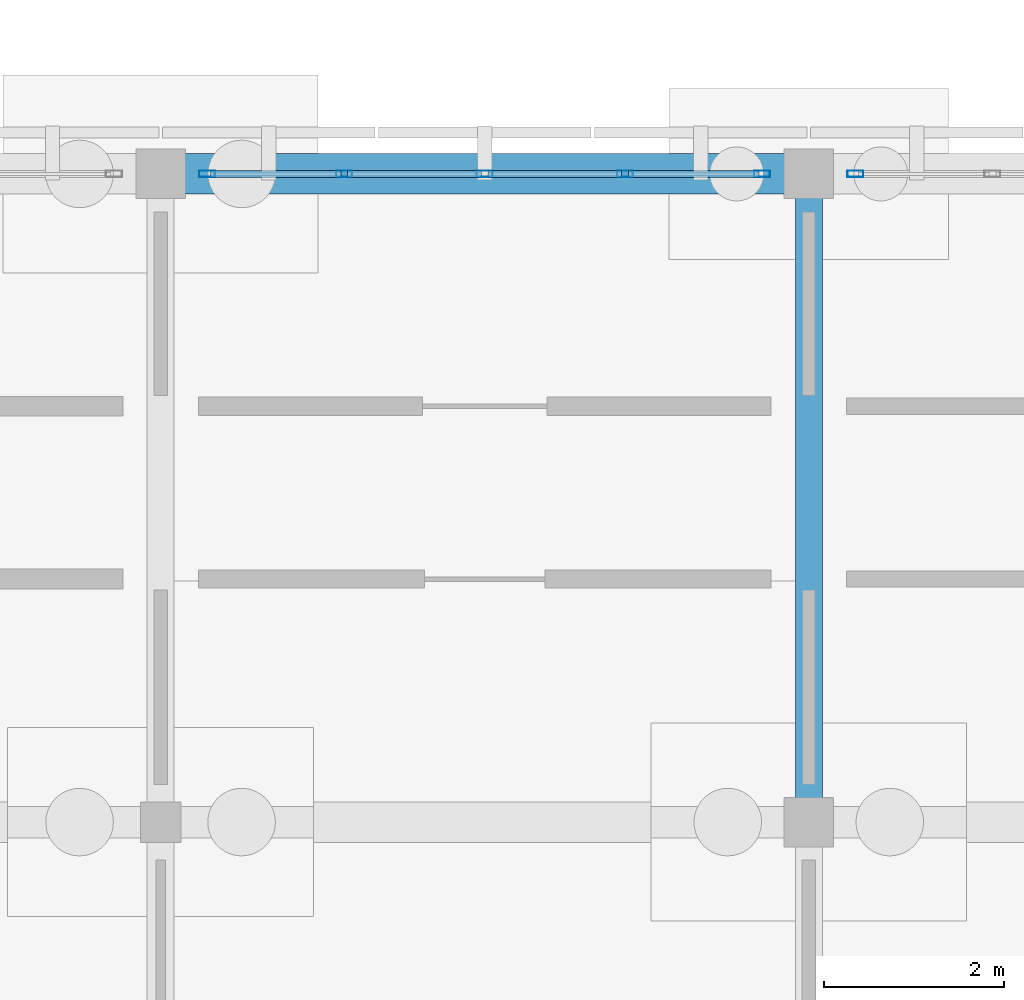
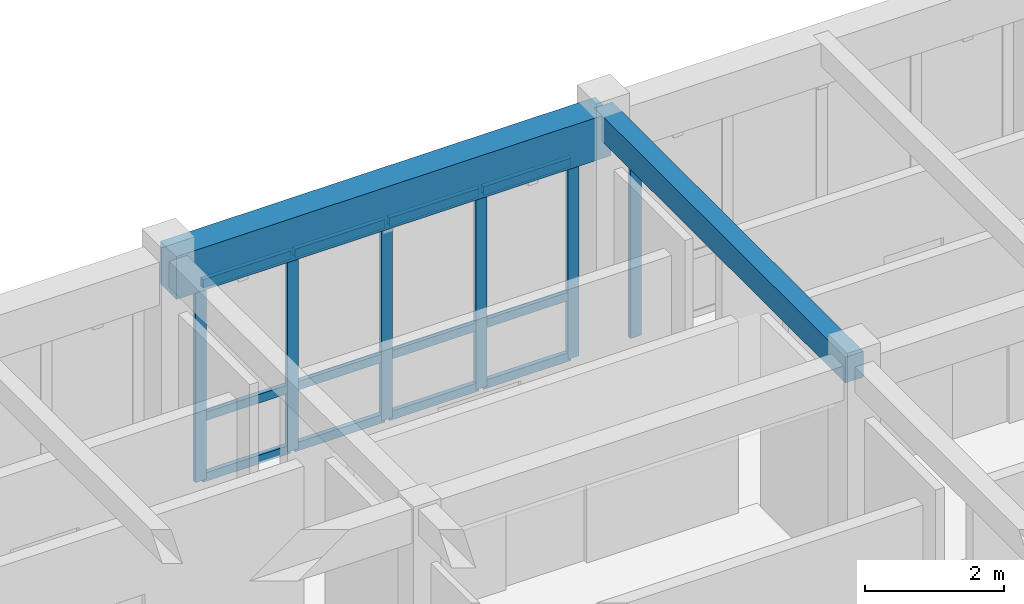
# One storey, part 32 of 111: 18 members, 2 beams, 2 elements without a shape of their own.
"""IFC4 building model written with IfcOpenShell, lengths in metres."""

from ifc_helpers import new_model, si_unit, direction, frame, origin, origin_2d, place, context, subcontext, project, spatial, rectangle, hollow_rectangle, extrude, material, material_profile, profile_set, type_object, element, aggregate, save


model = new_model("IFC4")

# Units and contexts
model_context = context("Model", 3, precision=1e-05, world=origin(), true_north=direction((0.0, 1.0)))
body_context = subcontext(model_context, "Body", "Model", "MODEL_VIEW")
ifc_project = project(units=[si_unit("LENGTHUNIT", "METRE"), si_unit("AREAUNIT", "SQUARE_METRE"), si_unit("VOLUMEUNIT", "CUBIC_METRE"), si_unit("PLANEANGLEUNIT", "RADIAN"), si_unit("MASSUNIT", "GRAM", prefix="KILO")], contexts=[model_context])

# Site, building, storey
site_placement = place(None, origin())
site = spatial("IfcSite", under=ifc_project, at=site_placement, CompositionType="ELEMENT")
building_placement = place(site_placement, origin())
building = spatial("IfcBuilding", under=site, at=building_placement, Name="Aldebral Square Health Centre", CompositionType="ELEMENT")
storey_placement = place(building_placement, origin())
storey = spatial("IfcBuildingStorey", under=building, at=storey_placement, Name="L00", CompositionType="ELEMENT", Elevation=0.0)

# Beams
ifc_material_1 = material(Name="Concrete C40/50", Category="concrete")
ifc_material_profile_1 = material_profile(ifc_material_1, rectangle(XDim=0.300048828125, YDim=0.449951171875, at=origin_2d()), Name="RC 300x450")
ifc_profile_set_1 = profile_set([ifc_material_profile_1], Name="Concrete C40/50")
beam_type_1 = type_object("IfcBeamType", Name="BM-B5", PredefinedType="BEAM", material=ifc_profile_set_1)
beam_1_placement = place(storey_placement, frame((93.60009765625, 93.60009765625, 3.9951171875), z_axis=(0.0, 1.0, 0.0), x_axis=(-1.0, 0.0, 0.0)))
element("IfcBeam", 1, at=beam_1_placement, inside=storey, type_object=beam_type_1, Name="L00 Y-beam G14/14-15", PredefinedType="BEAM", context=body_context, shape_type="SweptSolid", body=[
    extrude(rectangle(XDim=0.300048828125, YDim=0.449951171875, at=origin_2d()), origin(), (0.0, 0.0, 1.0), 7.199951171875),
])
ifc_material_profile_2 = material_profile(ifc_material_1, rectangle(XDim=0.449951171875, YDim=0.75, at=origin_2d()), Name="RC 450x750")
ifc_profile_set_2 = profile_set([ifc_material_profile_2], Name="Concrete C40/50")
beam_type_2 = type_object("IfcBeamType", Name="BM-G2", PredefinedType="T_BEAM", material=ifc_profile_set_2)
beam_2_placement = place(storey_placement, frame((86.39990234375, 100.800048828125, 3.844970703125), z_axis=(1.0, 0.0, 0.0), x_axis=(0.0, 1.0, 0.0)))
element("IfcBeam", 2, at=beam_2_placement, inside=storey, type_object=beam_type_2, Name="L00 X-beam 13-14/G15", PredefinedType="T_BEAM", context=body_context, shape_type="SweptSolid", body=[
    extrude(rectangle(XDim=0.449951171875, YDim=0.75, at=origin_2d()), origin(), (0.0, 0.0, 1.0), 7.2001953125),
])

# Curtain wall, members
ifc_material_2 = material(Name="Aluminium and low-E solar glass", Category="aluminium")
curtain_wall_type = type_object("IfcCurtainWallType", Name="CW-HALL-SYS", PredefinedType="USERDEFINED", material=ifc_material_2)
curtain_wall_1_placement = place(storey_placement, origin())
curtain_wall_1 = element("IfcCurtainWall", 3, at=curtain_wall_1_placement, inside=storey, type_object=curtain_wall_type, Name="L00 V1 hall curtain wall L00-V1-12-13-N", ObjectType="HALL_CURTAIN_WALL", PredefinedType="USERDEFINED")
ifc_material_3 = material(Name="Anodised aluminium mullion", Category="aluminium")
ifc_material_profile_3 = material_profile(ifc_material_3, hollow_rectangle(XDim=0.074951171875, YDim=0.179931640625, WallThickness=0.00390625, at=origin_2d()), Name="CWM 75x180x4")
ifc_profile_set_3 = profile_set([ifc_material_profile_3], Name="Anodised aluminium mullion")
member_type_1 = type_object("IfcMemberType", Name="CWM-STD", PredefinedType="MULLION", material=ifc_profile_set_3)
member_1_placement = place(storey_placement, frame((93.08251953125, 100.800048828125, 0.0), z_axis=(0.0, 0.0, 1.0), x_axis=(0.0, -1.0, 0.0)))
member_1 = element("IfcMember", 4, at=member_1_placement, type_object=member_type_1, Name="CW2 mullion 1", PredefinedType="MULLION", context=body_context, shape_type="SweptSolid", body=[
    extrude(hollow_rectangle(XDim=0.074951171875, YDim=0.179931640625, WallThickness=0.00390625, at=origin_2d()), origin(), (0.0, 0.0, 1.0), 3.469970703125),
])
member_2_placement = place(storey_placement, frame((91.56005859375, 100.800048828125, 0.0), z_axis=(0.0, 0.0, 1.0), x_axis=(0.0, -1.0, 0.0)))
member_2 = element("IfcMember", 5, at=member_2_placement, type_object=member_type_1, Name="CW2 mullion 2", PredefinedType="MULLION", context=body_context, shape_type="SweptSolid", body=[
    extrude(hollow_rectangle(XDim=0.074951171875, YDim=0.179931640625, WallThickness=0.00390625, at=origin_2d()), origin(), (0.0, 0.0, 1.0), 3.469970703125),
])
member_3_placement = place(storey_placement, frame((90.0, 100.800048828125, 0.0), z_axis=(0.0, 0.0, 1.0), x_axis=(0.0, -1.0, 0.0)))
member_3 = element("IfcMember", 6, at=member_3_placement, type_object=member_type_1, Name="CW2 mullion 3", PredefinedType="MULLION", context=body_context, shape_type="SweptSolid", body=[
    extrude(hollow_rectangle(XDim=0.074951171875, YDim=0.179931640625, WallThickness=0.00390625, at=origin_2d()), origin(), (0.0, 0.0, 1.0), 3.469970703125),
])
member_4_placement = place(storey_placement, frame((88.43994140625, 100.800048828125, 0.0), z_axis=(0.0, 0.0, 1.0), x_axis=(0.0, -1.0, 0.0)))
member_4 = element("IfcMember", 7, at=member_4_placement, type_object=member_type_1, Name="CW2 mullion 4", PredefinedType="MULLION", context=body_context, shape_type="SweptSolid", body=[
    extrude(hollow_rectangle(XDim=0.074951171875, YDim=0.179931640625, WallThickness=0.00390625, at=origin_2d()), origin(), (0.0, 0.0, 1.0), 3.469970703125),
])
member_5_placement = place(storey_placement, frame((86.91748046875, 100.800048828125, 0.0), z_axis=(0.0, 0.0, 1.0), x_axis=(0.0, -1.0, 0.0)))
member_5 = element("IfcMember", 8, at=member_5_placement, type_object=member_type_1, Name="CW2 mullion 5", PredefinedType="MULLION", context=body_context, shape_type="SweptSolid", body=[
    extrude(hollow_rectangle(XDim=0.074951171875, YDim=0.179931640625, WallThickness=0.00390625, at=origin_2d()), origin(), (0.0, 0.0, 1.0), 3.469970703125),
])

# Curtain wall, member
curtain_wall_2_placement = place(storey_placement, origin())
curtain_wall_2 = element("IfcCurtainWall", 9, at=curtain_wall_2_placement, inside=storey, type_object=curtain_wall_type, Name="L00 V1 hall curtain wall L00-V1-13-13-N", ObjectType="HALL_CURTAIN_WALL", PredefinedType="USERDEFINED")
member_6_placement = place(storey_placement, frame((94.117431640625, 100.800048828125, 0.0), z_axis=(0.0, 0.0, 1.0), x_axis=(0.0, -1.0, 0.0)))
member_6 = element("IfcMember", 10, at=member_6_placement, type_object=member_type_1, Name="CW2 mullion 5", PredefinedType="MULLION", context=body_context, shape_type="SweptSolid", body=[
    extrude(hollow_rectangle(XDim=0.074951171875, YDim=0.179931640625, WallThickness=0.00390625, at=origin_2d()), origin(), (0.0, 0.0, 1.0), 3.469970703125),
])
aggregate(curtain_wall_2, [member_6])

# Member
ifc_material_4 = material(Name="Anodised aluminium transom", Category="aluminium")
ifc_material_profile_4 = material_profile(ifc_material_4, hollow_rectangle(XDim=0.074951171875, YDim=0.14990234375, WallThickness=0.00390625, at=origin_2d()), Name="CWT 75x150x4")
ifc_profile_set_4 = profile_set([ifc_material_profile_4], Name="Anodised aluminium transom")
member_type_2 = type_object("IfcMemberType", Name="CWT-STD", PredefinedType="USERDEFINED", material=ifc_profile_set_4)
member_7_placement = place(storey_placement, frame((93.044921875, 100.800048828125, 0.03759765625), z_axis=(-1.0, 0.0, 0.0), x_axis=(0.0, -1.0, 0.0)))
member_7 = element("IfcMember", 11, at=member_7_placement, type_object=member_type_2, Name="CW2 transom 1.1", ObjectType="TRANSOM", PredefinedType="USERDEFINED", context=body_context, shape_type="SweptSolid", body=[
    extrude(hollow_rectangle(XDim=0.074951171875, YDim=0.14990234375, WallThickness=0.00390625, at=origin_2d()), origin(), (0.0, 0.0, 1.0), 1.447509765625),
])

member_8_placement = place(storey_placement, frame((93.044921875, 100.800048828125, 1.10009765625), z_axis=(-1.0, 0.0, 0.0), x_axis=(0.0, -1.0, 0.0)))
member_8 = element("IfcMember", 12, at=member_8_placement, type_object=member_type_2, Name="CW2 transom 1.2", ObjectType="TRANSOM", PredefinedType="USERDEFINED", context=body_context, shape_type="SweptSolid", body=[
    extrude(hollow_rectangle(XDim=0.074951171875, YDim=0.14990234375, WallThickness=0.00390625, at=origin_2d()), origin(), (0.0, 0.0, 1.0), 1.447509765625),
])

member_9_placement = place(storey_placement, frame((93.044921875, 100.800048828125, 3.4326171875), z_axis=(-1.0, 0.0, 0.0), x_axis=(0.0, -1.0, 0.0)))
member_9 = element("IfcMember", 13, at=member_9_placement, type_object=member_type_2, Name="CW2 transom 1.3", ObjectType="TRANSOM", PredefinedType="USERDEFINED", context=body_context, shape_type="SweptSolid", body=[
    extrude(hollow_rectangle(XDim=0.074951171875, YDim=0.14990234375, WallThickness=0.00390625, at=origin_2d()), origin(), (0.0, 0.0, 1.0), 1.447509765625),
])

member_10_placement = place(storey_placement, frame((91.5224609375, 100.800048828125, 0.03759765625), z_axis=(-1.0, 0.0, 0.0), x_axis=(0.0, -1.0, 0.0)))
member_10 = element("IfcMember", 14, at=member_10_placement, type_object=member_type_2, Name="CW2 transom 2.1", ObjectType="TRANSOM", PredefinedType="USERDEFINED", context=body_context, shape_type="SweptSolid", body=[
    extrude(hollow_rectangle(XDim=0.074951171875, YDim=0.14990234375, WallThickness=0.00390625, at=origin_2d()), origin(), (0.0, 0.0, 1.0), 1.48486328125),
])

member_11_placement = place(storey_placement, frame((91.5224609375, 100.800048828125, 1.10009765625), z_axis=(-1.0, 0.0, 0.0), x_axis=(0.0, -1.0, 0.0)))
member_11 = element("IfcMember", 15, at=member_11_placement, type_object=member_type_2, Name="CW2 transom 2.2", ObjectType="TRANSOM", PredefinedType="USERDEFINED", context=body_context, shape_type="SweptSolid", body=[
    extrude(hollow_rectangle(XDim=0.074951171875, YDim=0.14990234375, WallThickness=0.00390625, at=origin_2d()), origin(), (0.0, 0.0, 1.0), 1.48486328125),
])

member_12_placement = place(storey_placement, frame((91.5224609375, 100.800048828125, 3.4326171875), z_axis=(-1.0, 0.0, 0.0), x_axis=(0.0, -1.0, 0.0)))
member_12 = element("IfcMember", 16, at=member_12_placement, type_object=member_type_2, Name="CW2 transom 2.3", ObjectType="TRANSOM", PredefinedType="USERDEFINED", context=body_context, shape_type="SweptSolid", body=[
    extrude(hollow_rectangle(XDim=0.074951171875, YDim=0.14990234375, WallThickness=0.00390625, at=origin_2d()), origin(), (0.0, 0.0, 1.0), 1.48486328125),
])

member_13_placement = place(storey_placement, frame((89.96240234375, 100.800048828125, 0.03759765625), z_axis=(-1.0, 0.0, 0.0), x_axis=(0.0, -1.0, 0.0)))
member_13 = element("IfcMember", 17, at=member_13_placement, type_object=member_type_2, Name="CW2 transom 3.1", ObjectType="TRANSOM", PredefinedType="USERDEFINED", context=body_context, shape_type="SweptSolid", body=[
    extrude(hollow_rectangle(XDim=0.074951171875, YDim=0.14990234375, WallThickness=0.00390625, at=origin_2d()), origin(), (0.0, 0.0, 1.0), 1.48486328125),
])

member_14_placement = place(storey_placement, frame((89.96240234375, 100.800048828125, 1.10009765625), z_axis=(-1.0, 0.0, 0.0), x_axis=(0.0, -1.0, 0.0)))
member_14 = element("IfcMember", 18, at=member_14_placement, type_object=member_type_2, Name="CW2 transom 3.2", ObjectType="TRANSOM", PredefinedType="USERDEFINED", context=body_context, shape_type="SweptSolid", body=[
    extrude(hollow_rectangle(XDim=0.074951171875, YDim=0.14990234375, WallThickness=0.00390625, at=origin_2d()), origin(), (0.0, 0.0, 1.0), 1.48486328125),
])

member_15_placement = place(storey_placement, frame((89.96240234375, 100.800048828125, 3.4326171875), z_axis=(-1.0, 0.0, 0.0), x_axis=(0.0, -1.0, 0.0)))
member_15 = element("IfcMember", 19, at=member_15_placement, type_object=member_type_2, Name="CW2 transom 3.3", ObjectType="TRANSOM", PredefinedType="USERDEFINED", context=body_context, shape_type="SweptSolid", body=[
    extrude(hollow_rectangle(XDim=0.074951171875, YDim=0.14990234375, WallThickness=0.00390625, at=origin_2d()), origin(), (0.0, 0.0, 1.0), 1.48486328125),
])

member_16_placement = place(storey_placement, frame((88.402587890625, 100.800048828125, 0.03759765625), z_axis=(-1.0, 0.0, 0.0), x_axis=(0.0, -1.0, 0.0)))
member_16 = element("IfcMember", 20, at=member_16_placement, type_object=member_type_2, Name="CW2 transom 4.1", ObjectType="TRANSOM", PredefinedType="USERDEFINED", context=body_context, shape_type="SweptSolid", body=[
    extrude(hollow_rectangle(XDim=0.074951171875, YDim=0.14990234375, WallThickness=0.00390625, at=origin_2d()), origin(), (0.0, 0.0, 1.0), 1.447509765625),
])

member_17_placement = place(storey_placement, frame((88.402587890625, 100.800048828125, 1.10009765625), z_axis=(-1.0, 0.0, 0.0), x_axis=(0.0, -1.0, 0.0)))
member_17 = element("IfcMember", 21, at=member_17_placement, type_object=member_type_2, Name="CW2 transom 4.2", ObjectType="TRANSOM", PredefinedType="USERDEFINED", context=body_context, shape_type="SweptSolid", body=[
    extrude(hollow_rectangle(XDim=0.074951171875, YDim=0.14990234375, WallThickness=0.00390625, at=origin_2d()), origin(), (0.0, 0.0, 1.0), 1.447509765625),
])

member_18_placement = place(storey_placement, frame((88.402587890625, 100.800048828125, 3.4326171875), z_axis=(-1.0, 0.0, 0.0), x_axis=(0.0, -1.0, 0.0)))
member_18 = element("IfcMember", 22, at=member_18_placement, type_object=member_type_2, Name="CW2 transom 4.3", ObjectType="TRANSOM", PredefinedType="USERDEFINED", context=body_context, shape_type="SweptSolid", body=[
    extrude(hollow_rectangle(XDim=0.074951171875, YDim=0.14990234375, WallThickness=0.00390625, at=origin_2d()), origin(), (0.0, 0.0, 1.0), 1.447509765625),
])

aggregate(curtain_wall_1, [member_1, member_2, member_3, member_4, member_5, member_7, member_8, member_9, member_10, member_11, member_12, member_13, member_14, member_15, member_16, member_17, member_18])

save(model, "model.ifc")
